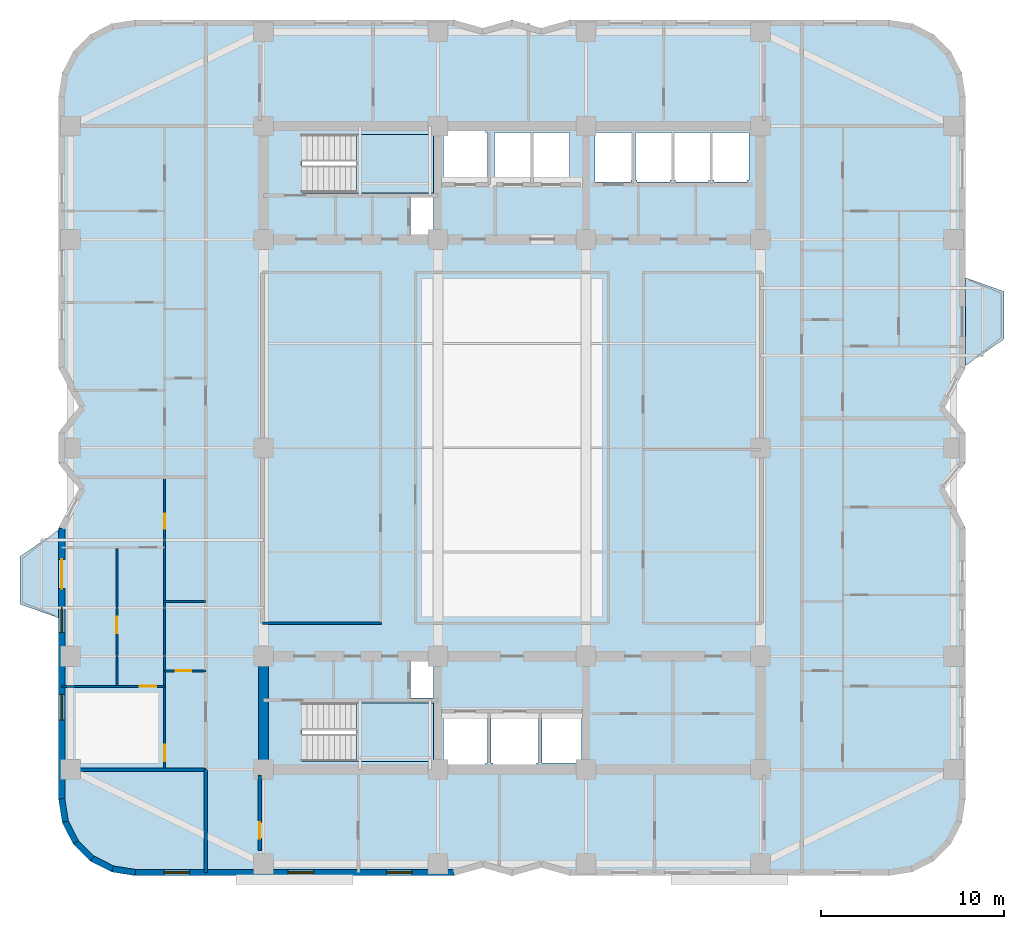
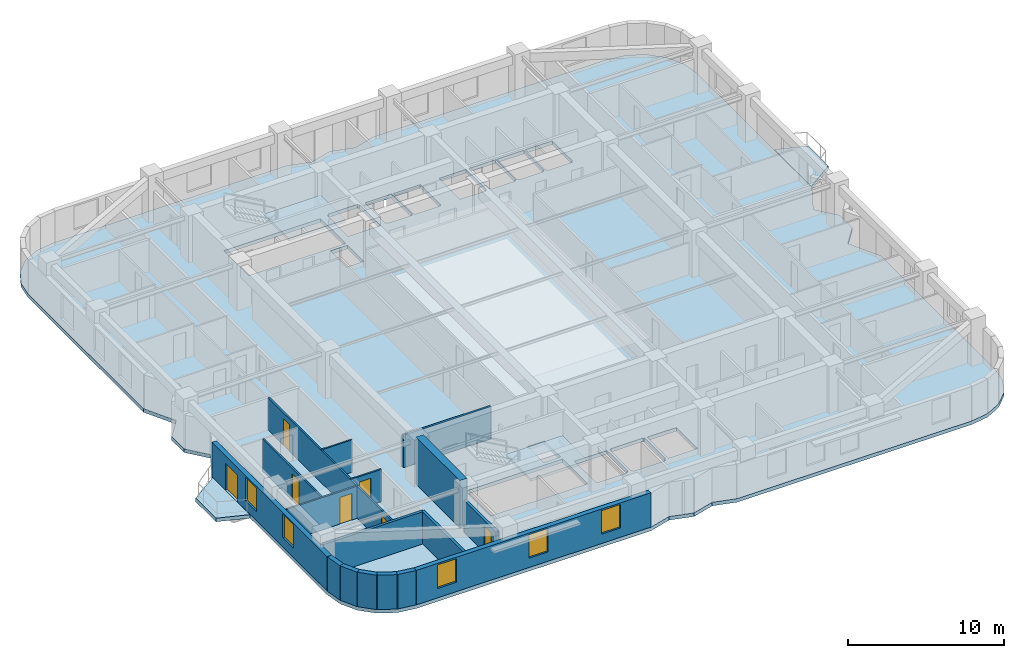
# One storey, part 2 of 10: 17 walls, 7 doors, 5 slabs, 5 windows, 12 openings, 2 elements without a shape of their own.
"""IFC4 building model written with IfcOpenShell, lengths in metres."""

from ifc_helpers import new_model, si_unit, direction, frame, frame_2d, origin, place, context, subcontext, project, spatial, polyline, rectangle, outline, extrude, material, layer, layer_set, type_object, element, fill, aggregate, save


model = new_model("IFC4")

# Units and contexts
model_context = context("Model", 3, precision=1e-05, world=origin(), true_north=direction((0.0, 1.0)))
body_context = subcontext(model_context, "Body", "Model", "MODEL_VIEW")
ifc_project = project(units=[si_unit("LENGTHUNIT", "METRE"), si_unit("AREAUNIT", "SQUARE_METRE"), si_unit("VOLUMEUNIT", "CUBIC_METRE"), si_unit("PLANEANGLEUNIT", "RADIAN"), si_unit("MASSUNIT", "GRAM", prefix="KILO")], contexts=[model_context])

# Site, building, storey
site_placement = place(None, origin())
site = spatial("IfcSite", under=ifc_project, at=site_placement, CompositionType="ELEMENT")
building_placement = place(site_placement, origin())
building = spatial("IfcBuilding", under=site, at=building_placement, Name="Svetorya Sky Lyceum", CompositionType="ELEMENT")
storey_placement = place(building_placement, frame((0.0, 0.0, 129.0)))
storey = spatial("IfcBuildingStorey", under=building, at=storey_placement, Name="L32", CompositionType="ELEMENT", Elevation=129.0)

# Slabs
ifc_material_1 = material(Name="Concrete C40/50", Category="concrete")
ifc_layer_1 = layer(ifc_material_1, 0.280029296875)
ifc_layer_set_1 = layer_set([ifc_layer_1], Name="Concrete C40/50")
slab_type_1 = type_object("IfcSlabType", Name="SL-BAL-280", PredefinedType="FLOOR", material=ifc_layer_set_1)
slab_1_placement = place(storey_placement, frame((0.0, 0.0, -0.280029296875)))
element("IfcSlab", 1, at=slab_1_placement, inside=storey, type_object=slab_type_1, Name="L32 Chamfered Loggia Balcony BAL-W1", PredefinedType="FLOOR", context=body_context, shape_type="SweptSolid", body=[
    extrude(outline(polyline([(14.389892578125, 18.89990234375), (14.389892578125, 23.699951171875), (12.2900390625, 22.25), (12.2900390625, 19.64990234375), (14.389892578125, 18.89990234375)])), origin(), (0.0, 0.0, 1.0), 0.280029296875),
])
slab_2_placement = place(storey_placement, frame((0.0, 0.0, -0.280029296875)))
element("IfcSlab", 2, at=slab_2_placement, inside=storey, type_object=slab_type_1, Name="L32 Chamfered Loggia Balcony BAL-E1", PredefinedType="FLOOR", context=body_context, shape_type="SweptSolid", body=[
    extrude(outline(polyline([(64.010009765625, 32.699951171875), (66.110107421875, 34.14990234375), (66.110107421875, 36.75), (64.010009765625, 37.5), (64.010009765625, 32.699951171875)])), origin(), (0.0, 0.0, 1.0), 0.280029296875),
])

# Stair, slab
stair_type_1 = type_object("IfcStairType", Name="STR-ST-S", PredefinedType="HALF_TURN_STAIR", material=ifc_material_1)
stair_1_placement = place(storey_placement, origin())
stair_1 = element("IfcStair", 3, at=stair_1_placement, inside=storey, type_object=stair_type_1, Name="L32 South Core Smoke-Free Exit Stair N2", PredefinedType="HALF_TURN_STAIR")
ifc_layer_2 = layer(ifc_material_1, 0.199951171875)
ifc_layer_set_2 = layer_set([ifc_layer_2], Name="Concrete C40/50")
slab_type_2 = type_object("IfcSlabType", Name="SL-STR-LAND-200", PredefinedType="LANDING", material=ifc_layer_set_2)
slab_3_placement = place(storey_placement, frame((0.0, 0.0, 1.64990234375)))
slab_3 = element("IfcSlab", 4, at=slab_3_placement, type_object=slab_type_2, Name="ST-S landing 1", PredefinedType="LANDING", context=body_context, shape_type="SweptSolid", body=[
    extrude(outline(polyline([(30.699951171875, 11.050048828125), (34.89990234375, 11.050048828125), (34.89990234375, 14.25), (30.699951171875, 14.25), (30.699951171875, 11.050048828125)])), origin(), (0.0, 0.0, 1.0), 0.2001953125),
])
aggregate(stair_1, [slab_3])

stair_type_2 = type_object("IfcStairType", Name="STR-ST-N", PredefinedType="HALF_TURN_STAIR", material=ifc_material_1)
stair_2_placement = place(storey_placement, origin())
stair_2 = element("IfcStair", 5, at=stair_2_placement, inside=storey, type_object=stair_type_2, Name="L32 North Core Smoke-Free Exit Stair N3", PredefinedType="HALF_TURN_STAIR")
slab_4_placement = place(storey_placement, frame((0.0, 0.0, 1.64990234375)))
slab_4 = element("IfcSlab", 6, at=slab_4_placement, type_object=slab_type_2, Name="ST-N landing 1", PredefinedType="LANDING", context=body_context, shape_type="SweptSolid", body=[
    extrude(outline(polyline([(30.699951171875, 42.14990234375), (34.89990234375, 42.14990234375), (34.89990234375, 45.35009765625), (30.699951171875, 45.35009765625), (30.699951171875, 42.14990234375)])), origin(), (0.0, 0.0, 1.0), 0.2001953125),
])
aggregate(stair_2, [slab_4])

# Slab
ifc_material_2 = material(Name="Concrete C50/60", Category="concrete")
ifc_layer_3 = layer(ifc_material_2, 0.280029296875)
ifc_layer_set_3 = layer_set([ifc_layer_3], Name="Concrete C50/60")
slab_type_3 = type_object("IfcSlabType", Name="SL-TWR-280", PredefinedType="FLOOR", material=ifc_layer_set_3)
slab_5_placement = place(storey_placement, frame((0.0, 0.0, -0.280029296875)))
element("IfcSlab", 7, at=slab_5_placement, inside=storey, type_object=slab_type_3, Name="L32 Structural Floor Slab", PredefinedType="FLOOR", context=body_context, shape_type="SweptSolid", body=[
    extrude(outline(polyline([(14.39990234375, 9.0), (14.605712890625, 7.7021484375), (15.2021484375, 6.53125), (16.13134765625, 5.60205078125), (17.302001953125, 5.005615234375), (18.60009765625, 4.800048828125), (36.0, 4.800048828125), (37.60009765625, 5.25), (39.199951171875, 4.800048828125), (40.800048828125, 5.25), (42.39990234375, 4.800048828125), (59.800048828125, 4.800048828125), (61.097900390625, 5.005615234375), (62.268798828125, 5.60205078125), (63.197998046875, 6.53125), (63.79443359375, 7.7021484375), (64.0, 9.0), (64.0, 23.800048828125), (62.85009765625, 26.0), (64.0, 27.39990234375), (64.0, 29.0), (62.85009765625, 30.39990234375), (64.0, 32.60009765625), (64.0, 47.39990234375), (63.79443359375, 48.697998046875), (63.197998046875, 49.86865234375), (62.268798828125, 50.7978515625), (61.097900390625, 51.394287109375), (59.800048828125, 51.60009765625), (42.39990234375, 51.60009765625), (40.800048828125, 51.14990234375), (39.199951171875, 51.60009765625), (37.60009765625, 51.14990234375), (36.0, 51.60009765625), (18.60009765625, 51.60009765625), (17.302001953125, 51.394287109375), (16.13134765625, 50.7978515625), (15.2021484375, 49.86865234375), (14.605712890625, 48.697998046875), (14.39990234375, 47.39990234375), (14.39990234375, 32.60009765625), (15.550048828125, 30.39990234375), (14.39990234375, 29.0), (14.39990234375, 27.39990234375), (15.550048828125, 26.0), (14.39990234375, 23.800048828125), (14.39990234375, 9.0)]), holes=[polyline([(37.85009765625, 10.949951171875), (37.75, 10.949951171875), (37.75, 10.85009765625), (35.550048828125, 10.85009765625), (35.550048828125, 10.949951171875), (35.449951171875, 10.949951171875), (35.449951171875, 13.64990234375), (35.550048828125, 13.64990234375), (37.75, 13.64990234375), (37.85009765625, 13.64990234375), (37.85009765625, 10.949951171875)]), polyline([(40.64990234375, 13.64990234375), (40.64990234375, 10.949951171875), (40.550048828125, 10.949951171875), (40.550048828125, 10.800048828125), (38.14990234375, 10.800048828125), (38.14990234375, 10.949951171875), (38.050048828125, 10.949951171875), (38.050048828125, 13.64990234375), (38.14990234375, 13.64990234375), (38.14990234375, 13.699951171875), (40.550048828125, 13.699951171875), (40.550048828125, 13.64990234375), (40.64990234375, 13.64990234375)]), polyline([(27.719970703125, 14.25), (34.89990234375, 14.25), (34.89990234375, 11.050048828125), (27.719970703125, 11.050048828125), (27.719970703125, 14.25)]), polyline([(33.64990234375, 14.52001953125), (33.64990234375, 16.580078125), (34.89990234375, 16.580078125), (34.89990234375, 14.52001953125), (33.64990234375, 14.52001953125)]), polyline([(33.64990234375, 41.89990234375), (34.89990234375, 41.89990234375), (34.89990234375, 39.820068359375), (33.64990234375, 39.820068359375), (33.64990234375, 41.89990234375)]), polyline([(27.719970703125, 45.35009765625), (34.89990234375, 45.35009765625), (34.89990234375, 42.14990234375), (27.719970703125, 42.14990234375), (27.719970703125, 45.35009765625)]), polyline([(37.75, 45.550048828125), (37.75, 45.449951171875), (37.85009765625, 45.449951171875), (37.85009765625, 42.75), (37.75, 42.75), (35.550048828125, 42.75), (35.449951171875, 42.75), (35.449951171875, 45.449951171875), (35.550048828125, 45.449951171875), (35.550048828125, 45.550048828125), (37.75, 45.550048828125)]), polyline([(38.39990234375, 42.85009765625), (38.25, 42.85009765625), (38.25, 45.449951171875), (38.39990234375, 45.449951171875), (40.199951171875, 45.449951171875), (40.25, 45.449951171875), (40.25, 42.85009765625), (40.199951171875, 42.85009765625), (40.199951171875, 42.75), (38.39990234375, 42.75), (38.39990234375, 42.85009765625)]), polyline([(40.85009765625, 13.64990234375), (43.0, 13.64990234375), (43.0, 10.949951171875), (40.85009765625, 10.949951171875), (40.85009765625, 13.64990234375)]), polyline([(40.39990234375, 42.85009765625), (40.35009765625, 42.85009765625), (40.35009765625, 45.449951171875), (40.39990234375, 45.449951171875), (42.300048828125, 45.449951171875), (42.35009765625, 45.449951171875), (42.35009765625, 42.85009765625), (42.300048828125, 42.85009765625), (42.300048828125, 42.75), (40.39990234375, 42.75), (40.39990234375, 42.85009765625)]), polyline([(43.75, 42.75), (43.75, 42.85009765625), (43.75, 45.449951171875), (45.699951171875, 45.449951171875), (45.75, 45.449951171875), (45.75, 42.85009765625), (45.699951171875, 42.85009765625), (45.699951171875, 42.75), (43.75, 42.75)]), polyline([(46.050048828125, 42.85009765625), (45.949951171875, 42.85009765625), (45.949951171875, 45.449951171875), (46.050048828125, 45.449951171875), (47.85009765625, 45.449951171875), (47.949951171875, 45.449951171875), (47.949951171875, 42.85009765625), (47.85009765625, 42.85009765625), (47.85009765625, 42.75), (46.050048828125, 42.75), (46.050048828125, 42.85009765625)]), polyline([(48.14990234375, 42.85009765625), (48.050048828125, 42.85009765625), (48.050048828125, 45.449951171875), (48.14990234375, 45.449951171875), (49.949951171875, 45.449951171875), (50.050048828125, 45.449951171875), (50.050048828125, 42.85009765625), (49.949951171875, 42.85009765625), (49.949951171875, 42.75), (48.14990234375, 42.75), (48.14990234375, 42.85009765625)]), polyline([(52.14990234375, 42.85009765625), (52.050048828125, 42.85009765625), (52.050048828125, 42.75), (50.25, 42.75), (50.25, 42.85009765625), (50.14990234375, 42.85009765625), (50.14990234375, 45.449951171875), (50.25, 45.449951171875), (52.050048828125, 45.449951171875), (52.14990234375, 45.449951171875), (52.14990234375, 42.85009765625)])]), origin(), (0.0, 0.0, 1.0), 0.280029296875),
])

# Walls
ifc_material_3 = material(Name="Concrete C60/75", Category="concrete")
ifc_layer_4 = layer(ifc_material_3, 0.550048828125)
ifc_layer_set_4 = layer_set([ifc_layer_4], Name="Concrete C60/75")
wall_type_1 = type_object("IfcWallType", Name="WL-CORE-550", PredefinedType="SHEAR", material=ifc_layer_set_4)
wall_1_placement = place(storey_placement, frame((25.60009765625, 10.875, 0.0), z_axis=(0.0, 0.0, 1.0), x_axis=(0.0, 1.0, 0.0)))
element("IfcWall", 8, at=wall_1_placement, inside=storey, type_object=wall_type_1, Name="L32 SC West Core Shear Wall", PredefinedType="SHEAR", context=body_context, shape_type="SweptSolid", body=[
    extrude(rectangle(XDim=5.64990234375, YDim=0.550048828125, at=frame_2d((2.824951171875, 0.0))), origin(), (0.0, 0.0, 1.0), 3.699951171875),
])
ifc_material_4 = material(Name="Putilovo limestone rainscreen on autoclaved cellular masonry", Category="masonry")
ifc_layer_5 = layer(ifc_material_4, 0.340087890625)
ifc_layer_set_5 = layer_set([ifc_layer_5], Name="Putilovo limestone rainscreen on autoclaved cellular masonry")
wall_type_2 = type_object("IfcWallType", Name="WL-EXT-340", PredefinedType="SOLIDWALL", material=ifc_layer_set_5)
wall_2_placement = place(storey_placement, frame((14.570068359375, 9.0, 0.0), z_axis=(0.0, 0.0, 1.0), x_axis=(0.156260864002, -0.98771582066, 0.0)))
element("IfcWall", 9, at=wall_2_placement, inside=storey, type_object=wall_type_2, Name="L32 Limestone Exterior Wall 1M", PredefinedType="SOLIDWALL", context=body_context, shape_type="SweptSolid", body=[
    extrude(rectangle(XDim=1.2607421875, YDim=0.340087890625, at=frame_2d((0.63037109375, 0.0))), origin(), (0.0, 0.0, 1.0), 2.699951171875),
])
wall_3_placement = place(storey_placement, frame((14.76708984375, 7.754638671875, 0.0), z_axis=(0.0, 0.0, 1.0), x_axis=(0.454015689056, -0.890993689142, 0.0)))
element("IfcWall", 10, at=wall_3_placement, inside=storey, type_object=wall_type_2, Name="L32 Limestone Exterior Wall 2M", PredefinedType="SOLIDWALL", context=body_context, shape_type="SweptSolid", body=[
    extrude(rectangle(XDim=1.260986328125, YDim=0.340087890625, at=frame_2d((0.63037109375, 0.0))), origin(), (0.0, 0.0, 1.0), 2.699951171875),
])
wall_4_placement = place(storey_placement, frame((15.339599609375, 6.631103515625, 0.0), z_axis=(0.0, 0.0, 1.0), x_axis=(0.707203598708, -0.707009950407, 0.0)))
element("IfcWall", 11, at=wall_4_placement, inside=storey, type_object=wall_type_2, Name="L32 Limestone Exterior Wall 3M", PredefinedType="SOLIDWALL", context=body_context, shape_type="SweptSolid", body=[
    extrude(rectangle(XDim=1.2607421875, YDim=0.340087890625, at=frame_2d((0.63037109375, 0.0))), origin(), (0.0, 0.0, 1.0), 2.699951171875),
])
for number, where, z_axis, x_axis, name in (
    (12, (16.231201171875, 5.73974609375, 0.0), (0.0, 0.0, 1.0), (0.890993689142, -0.454015689056, 0.0), "L32 Limestone Exterior Wall 4M"),
    (13, (17.354736328125, 5.167236328125, 0.0), (0.0, 0.0, 1.0), (0.987685918112, -0.15644975923, 0.0), "L32 Limestone Exterior Wall 5M"),
):
    element("IfcWall", number, at=place(storey_placement, frame(where, z_axis=z_axis, x_axis=x_axis)), inside=storey, type_object=wall_type_2, Name=name, PredefinedType="SOLIDWALL", context=body_context, shape_type="SweptSolid", body=[
        extrude(rectangle(XDim=1.260986328125, YDim=0.340087890625, at=frame_2d((0.63037109375, 0.0))), origin(), (0.0, 0.0, 1.0), 2.699951171875),
    ])

# Wall, openings, windows
wall_5_placement = place(storey_placement, frame((18.60009765625, 4.969970703125, 0.0), z_axis=(0.0, 0.0, 1.0), x_axis=(1.0, 0.0, 0.0)))
wall_5 = element("IfcWall", 14, at=wall_5_placement, inside=storey, type_object=wall_type_2, Name="L32 Limestone Exterior Wall 6M", PredefinedType="SOLIDWALL", context=body_context, shape_type="SweptSolid", body=[
    extrude(rectangle(XDim=17.39990234375, YDim=0.340087890625, at=frame_2d((8.699951171875, 0.0))), origin(), (0.0, 0.0, 1.0), 2.699951171875),
])
opening_1_placement = place(wall_5_placement, frame((1.56005859375, 0.0, 0.72998046875)))
opening_1 = element("IfcOpeningElement", 15, at=opening_1_placement, cuts=wall_5, Name="Opening W-R2", PredefinedType="OPENING", context=body_context, shape_type="SweptSolid", body=[
    extrude(rectangle(XDim=1.39990234375, YDim=1.85009765625, at=frame_2d((0.699951171875, 0.925048828125))), frame((0.0, 0.179931640625, 0.0), z_axis=(0.0, -1.0, 0.0), x_axis=(1.0, 0.0, 0.0)), (0.0, 0.0, 1.0), 0.360107421875),
])
opening_2_placement = place(wall_5_placement, frame((8.35009765625, 0.0, 0.72998046875)))
opening_2 = element("IfcOpeningElement", 16, at=opening_2_placement, cuts=wall_5, Name="Opening W-R2", PredefinedType="OPENING", context=body_context, shape_type="SweptSolid", body=[
    extrude(rectangle(XDim=1.39990234375, YDim=1.85009765625, at=frame_2d((0.699951171875, 0.925048828125))), frame((0.0, 0.179931640625, 0.0), z_axis=(0.0, -1.0, 0.0), x_axis=(1.0, 0.0, 0.0)), (0.0, 0.0, 1.0), 0.360107421875),
])
opening_3_placement = place(wall_5_placement, frame((13.739990234375, 0.0, 0.72998046875)))
opening_3 = element("IfcOpeningElement", 17, at=opening_3_placement, cuts=wall_5, Name="Opening W-R2", PredefinedType="OPENING", context=body_context, shape_type="SweptSolid", body=[
    extrude(rectangle(XDim=1.39990234375, YDim=1.85009765625, at=frame_2d((0.699951171875, 0.925048828125))), frame((0.0, 0.179931640625, 0.0), z_axis=(0.0, -1.0, 0.0), x_axis=(1.0, 0.0, 0.0)), (0.0, 0.0, 1.0), 0.360107421875),
])
ifc_material_5 = material(Name="Thermally broken aluminium frame with triple low-E glazing", Category="aluminium")
window_type = type_object("IfcWindowType", Name="WN-RES-140", PartitioningType="SINGLE_PANEL", PredefinedType="WINDOW", material=ifc_material_5)
window_1_placement = place(opening_1_placement, origin())
window_1 = element("IfcWindow", 18, at=window_1_placement, inside=storey, type_object=window_type, Name="L32 Facade Window W-R2.6M.1", OverallHeight=1.85009765625, OverallWidth=1.39990234375, PartitioningType="SINGLE_PANEL", PredefinedType="WINDOW", context=body_context, shape_type="SweptSolid", body=[
    extrude(rectangle(XDim=1.39990234375, YDim=1.85009765625, at=frame_2d((0.699951171875, 0.925048828125))), frame((0.0, 0.030029296875, 0.0), z_axis=(0.0, -1.0, 0.0), x_axis=(1.0, 0.0, 0.0)), (0.0, 0.0, 1.0), 0.06005859375),
])
fill(opening_1, window_1)
window_2_placement = place(opening_2_placement, origin())
window_2 = element("IfcWindow", 19, at=window_2_placement, inside=storey, type_object=window_type, Name="L32 Facade Window W-R2.6M.2", OverallHeight=1.85009765625, OverallWidth=1.39990234375, PartitioningType="SINGLE_PANEL", PredefinedType="WINDOW", context=body_context, shape_type="SweptSolid", body=[
    extrude(rectangle(XDim=1.39990234375, YDim=1.85009765625, at=frame_2d((0.699951171875, 0.925048828125))), frame((0.0, 0.030029296875, 0.0), z_axis=(0.0, -1.0, 0.0), x_axis=(1.0, 0.0, 0.0)), (0.0, 0.0, 1.0), 0.06005859375),
])
fill(opening_2, window_2)
window_3_placement = place(opening_3_placement, origin())
window_3 = element("IfcWindow", 20, at=window_3_placement, inside=storey, type_object=window_type, Name="L32 Facade Window W-R2.6M.3", OverallHeight=1.85009765625, OverallWidth=1.39990234375, PartitioningType="SINGLE_PANEL", PredefinedType="WINDOW", context=body_context, shape_type="SweptSolid", body=[
    extrude(rectangle(XDim=1.39990234375, YDim=1.85009765625, at=frame_2d((0.699951171875, 0.925048828125))), frame((0.0, 0.030029296875, 0.0), z_axis=(0.0, -1.0, 0.0), x_axis=(1.0, 0.0, 0.0)), (0.0, 0.0, 1.0), 0.06005859375),
])
fill(opening_3, window_3)

# Wall, openings, door, windows
wall_6_placement = place(storey_placement, frame((14.570068359375, 23.800048828125, 0.0), z_axis=(0.0, 0.0, 1.0), x_axis=(0.0, -1.0, 0.0)))
wall_6 = element("IfcWall", 21, at=wall_6_placement, inside=storey, type_object=wall_type_2, Name="L32 Limestone Exterior Wall 46M", PredefinedType="SOLIDWALL", context=body_context, shape_type="SweptSolid", body=[
    extrude(rectangle(XDim=14.800048828125, YDim=0.340087890625, at=frame_2d((7.39990234375, 0.0))), origin(), (0.0, 0.0, 1.0), 2.699951171875),
])
opening_4_placement = place(wall_6_placement, frame((1.699951171875, 0.0, 0.0)))
opening_4 = element("IfcOpeningElement", 22, at=opening_4_placement, cuts=wall_6, Name="Opening D-BL1", PredefinedType="OPENING", context=body_context, shape_type="SweptSolid", body=[
    extrude(rectangle(XDim=1.60009765625, YDim=2.10009765625, at=frame_2d((0.800048828125, 1.050048828125))), frame((0.0, 0.179931640625, 0.0), z_axis=(0.0, -1.0, 0.0), x_axis=(1.0, 0.0, 0.0)), (0.0, 0.0, 1.0), 0.360107421875),
])
opening_5_placement = place(wall_6_placement, frame((4.3125, 0.0, 0.72998046875)))
opening_5 = element("IfcOpeningElement", 23, at=opening_5_placement, cuts=wall_6, Name="Opening W-R2", PredefinedType="OPENING", context=body_context, shape_type="SweptSolid", body=[
    extrude(rectangle(XDim=1.39990234375, YDim=1.85009765625, at=frame_2d((0.699951171875, 0.925048828125))), frame((0.0, 0.179931640625, 0.0), z_axis=(0.0, -1.0, 0.0), x_axis=(1.0, 0.0, 0.0)), (0.0, 0.0, 1.0), 0.360107421875),
])
opening_6_placement = place(wall_6_placement, frame((9.08740234375, 0.0, 0.72998046875)))
opening_6 = element("IfcOpeningElement", 24, at=opening_6_placement, cuts=wall_6, Name="Opening W-R2", PredefinedType="OPENING", context=body_context, shape_type="SweptSolid", body=[
    extrude(rectangle(XDim=1.39990234375, YDim=1.85009765625, at=frame_2d((0.699951171875, 0.925048828125))), frame((0.0, 0.179931640625, 0.0), z_axis=(0.0, -1.0, 0.0), x_axis=(1.0, 0.0, 0.0)), (0.0, 0.0, 1.0), 0.360107421875),
])
ifc_material_6 = material(Name="Insulated glazed aluminium balcony door", Category="aluminium")
door_type_1 = type_object("IfcDoorType", Name="DR-BAL-1600", OperationType="DOUBLE_DOOR_SINGLE_SWING", PredefinedType="DOOR", material=ifc_material_6)
door_1_placement = place(opening_4_placement, origin())
door_1 = element("IfcDoor", 25, at=door_1_placement, inside=storey, type_object=door_type_1, Name="L32 Balcony BAL-W1 Door", OperationType="DOUBLE_DOOR_SINGLE_SWING", OverallHeight=2.10009765625, OverallWidth=1.60009765625, PredefinedType="DOOR", context=body_context, shape_type="SweptSolid", body=[
    extrude(rectangle(XDim=1.60009765625, YDim=2.10009765625, at=frame_2d((0.800048828125, 1.050048828125))), frame((0.0, 0.02490234375, 0.0), z_axis=(0.0, -1.0, 0.0), x_axis=(1.0, 0.0, 0.0)), (0.0, 0.0, 1.0), 0.050048828125),
])
fill(opening_4, door_1)
window_4_placement = place(opening_5_placement, origin())
window_4 = element("IfcWindow", 26, at=window_4_placement, inside=storey, type_object=window_type, Name="L32 Facade Window W-R2.46M.1", OverallHeight=1.85009765625, OverallWidth=1.39990234375, PartitioningType="SINGLE_PANEL", PredefinedType="WINDOW", context=body_context, shape_type="SweptSolid", body=[
    extrude(rectangle(XDim=1.39990234375, YDim=1.85009765625, at=frame_2d((0.699951171875, 0.925048828125))), frame((0.0, 0.030029296875, 0.0), z_axis=(0.0, -1.0, 0.0), x_axis=(1.0, 0.0, 0.0)), (0.0, 0.0, 1.0), 0.06005859375),
])
fill(opening_5, window_4)
window_5_placement = place(opening_6_placement, origin())
window_5 = element("IfcWindow", 27, at=window_5_placement, inside=storey, type_object=window_type, Name="L32 Facade Window W-R2.46M.2", OverallHeight=1.85009765625, OverallWidth=1.39990234375, PartitioningType="SINGLE_PANEL", PredefinedType="WINDOW", context=body_context, shape_type="SweptSolid", body=[
    extrude(rectangle(XDim=1.39990234375, YDim=1.85009765625, at=frame_2d((0.699951171875, 0.925048828125))), frame((0.0, 0.030029296875, 0.0), z_axis=(0.0, -1.0, 0.0), x_axis=(1.0, 0.0, 0.0)), (0.0, 0.0, 1.0), 0.06005859375),
])
fill(opening_6, window_5)

# Wall, opening, door
ifc_material_7 = material(Name="Twin-stud galvanized framing with double fireboard", Category="gypsum")
ifc_layer_6 = layer(ifc_material_7, 0.1201171875)
ifc_layer_set_6 = layer_set([ifc_layer_6], Name="Twin-stud galvanized framing with double fireboard")
wall_type_3 = type_object("IfcWallType", Name="WL-PART-120", PredefinedType="PARTITIONING", material=ifc_layer_set_6)
wall_7_placement = place(storey_placement, frame((20.199951171875, 16.0, 0.0), z_axis=(0.0, 0.0, 1.0), x_axis=(1.0, 0.0, 0.0)))
wall_7 = element("IfcWall", 28, at=wall_7_placement, inside=storey, type_object=wall_type_3, Name="L32 Interior Partition W1-WH1", PredefinedType="PARTITIONING", context=body_context, shape_type="SweptSolid", body=[
    extrude(rectangle(XDim=2.25, YDim=0.1201171875, at=frame_2d((1.125, 0.0))), origin(), (0.0, 0.0, 1.0), 2.530029296875),
])
opening_7_placement = place(wall_7_placement, frame((0.60009765625, 0.0, 0.0)))
opening_7 = element("IfcOpeningElement", 29, at=opening_7_placement, cuts=wall_7, Name="Opening D-BT1", PredefinedType="OPENING", context=body_context, shape_type="SweptSolid", body=[
    extrude(rectangle(XDim=0.85009765625, YDim=2.10009765625, at=frame_2d((0.425048828125, 1.050048828125))), frame((0.0, 0.070068359375, 0.0), z_axis=(0.0, -1.0, 0.0), x_axis=(1.0, 0.0, 0.0)), (0.0, 0.0, 1.0), 0.14013671875),
])
ifc_material_8 = material(Name="Moisture-resistant laminate bathroom door")
door_type_2 = type_object("IfcDoorType", Name="DR-WET-850", OperationType="SINGLE_SWING_LEFT", PredefinedType="DOOR", material=ifc_material_8)
door_2_placement = place(opening_7_placement, origin())
door_2 = element("IfcDoor", 30, at=door_2_placement, inside=storey, type_object=door_type_2, Name="Apartment W1 Bathroom Door", OperationType="SINGLE_SWING_LEFT", OverallHeight=2.10009765625, OverallWidth=0.85009765625, PredefinedType="DOOR", context=body_context, shape_type="SweptSolid", body=[
    extrude(rectangle(XDim=0.85009765625, YDim=2.10009765625, at=frame_2d((0.425048828125, 1.050048828125))), frame((0.0, 0.02490234375, 0.0), z_axis=(0.0, -1.0, 0.0), x_axis=(1.0, 0.0, 0.0)), (0.0, 0.0, 1.0), 0.050048828125),
])
fill(opening_7, door_2)

# Wall
wall_8_placement = place(storey_placement, frame((20.199951171875, 19.800048828125, 0.0), z_axis=(0.0, 0.0, 1.0), x_axis=(1.0, 0.0, 0.0)))
element("IfcWall", 31, at=wall_8_placement, inside=storey, type_object=wall_type_3, Name="L32 Interior Partition W1-WH2", PredefinedType="PARTITIONING", context=body_context, shape_type="SweptSolid", body=[
    extrude(rectangle(XDim=2.25, YDim=0.1201171875, at=frame_2d((1.125, 0.0))), origin(), (0.0, 0.0, 1.0), 2.530029296875),
])

# Wall, opening, door
wall_9_placement = place(storey_placement, frame((17.589111328125, 15.18994140625, 0.0), z_axis=(0.0, 0.0, 1.0), x_axis=(0.0, 1.0, 0.0)))
wall_9 = element("IfcWall", 32, at=wall_9_placement, inside=storey, type_object=wall_type_3, Name="L32 Interior Partition W1-BVD1", PredefinedType="PARTITIONING", context=body_context, shape_type="SweptSolid", body=[
    extrude(rectangle(XDim=7.52001953125, YDim=0.1201171875, at=frame_2d((3.760009765625, 0.0))), origin(), (0.0, 0.0, 1.0), 2.530029296875),
])
opening_8_placement = place(wall_9_placement, frame((2.860107421875, 0.0, 0.0)))
opening_8 = element("IfcOpeningElement", 33, at=opening_8_placement, cuts=wall_9, Name="Opening D-RM1", PredefinedType="OPENING", context=body_context, shape_type="SweptSolid", body=[
    extrude(rectangle(XDim=0.89990234375, YDim=2.10009765625, at=frame_2d((0.449951171875, 1.050048828125))), frame((0.0, 0.070068359375, 0.0), z_axis=(0.0, -1.0, 0.0), x_axis=(1.0, 0.0, 0.0)), (0.0, 0.0, 1.0), 0.14013671875),
])
ifc_material_9 = material(Name="Lacquered birch veneer internal door")
door_type_3 = type_object("IfcDoorType", Name="DR-INT-900", OperationType="SINGLE_SWING_LEFT", PredefinedType="DOOR", material=ifc_material_9)
door_3_placement = place(opening_8_placement, origin())
door_3 = element("IfcDoor", 34, at=door_3_placement, inside=storey, type_object=door_type_3, Name="Apartment W1 Suite Bedroom Door", OperationType="SINGLE_SWING_LEFT", OverallHeight=2.10009765625, OverallWidth=0.89990234375, PredefinedType="DOOR", context=body_context, shape_type="SweptSolid", body=[
    extrude(rectangle(XDim=0.89990234375, YDim=2.10009765625, at=frame_2d((0.449951171875, 1.050048828125))), frame((0.0, 0.02490234375, 0.0), z_axis=(0.0, -1.0, 0.0), x_axis=(1.0, 0.0, 0.0)), (0.0, 0.0, 1.0), 0.050048828125),
])
fill(opening_8, door_3)

wall_10_placement = place(storey_placement, frame((14.570068359375, 15.14990234375, 0.0), z_axis=(0.0, 0.0, 1.0), x_axis=(1.0, 0.0, 0.0)))
wall_10 = element("IfcWall", 35, at=wall_10_placement, inside=storey, type_object=wall_type_3, Name="L32 Interior Partition W1-WL1", PredefinedType="PARTITIONING", context=body_context, shape_type="SweptSolid", body=[
    extrude(rectangle(XDim=5.6298828125, YDim=0.1201171875, at=frame_2d((2.81494140625, 0.0))), origin(), (0.0, 0.0, 1.0), 2.530029296875),
])
opening_9_placement = place(wall_10_placement, frame((4.280029296875, 0.0, 0.0)))
opening_9 = element("IfcOpeningElement", 36, at=opening_9_placement, cuts=wall_10, Name="Opening D-RM1", PredefinedType="OPENING", context=body_context, shape_type="SweptSolid", body=[
    extrude(rectangle(XDim=0.89990234375, YDim=2.10009765625, at=frame_2d((0.449951171875, 1.050048828125))), frame((0.0, 0.070068359375, 0.0), z_axis=(0.0, -1.0, 0.0), x_axis=(1.0, 0.0, 0.0)), (0.0, 0.0, 1.0), 0.14013671875),
])
door_4_placement = place(opening_9_placement, origin())
door_4 = element("IfcDoor", 37, at=door_4_placement, inside=storey, type_object=door_type_3, Name="Apartment W1 Master Bedroom Door", OperationType="SINGLE_SWING_LEFT", OverallHeight=2.10009765625, OverallWidth=0.89990234375, PredefinedType="DOOR", context=body_context, shape_type="SweptSolid", body=[
    extrude(rectangle(XDim=0.89990234375, YDim=2.10009765625, at=frame_2d((0.449951171875, 1.050048828125))), frame((0.0, 0.02490234375, 0.0), z_axis=(0.0, -1.0, 0.0), x_axis=(1.0, 0.0, 0.0)), (0.0, 0.0, 1.0), 0.050048828125),
])
fill(opening_9, door_4)

# Wall, openings, doors
wall_11_placement = place(storey_placement, frame((20.199951171875, 10.639892578125, 0.0), z_axis=(0.0, 0.0, 1.0), x_axis=(0.0, 1.0, 0.0)))
wall_11 = element("IfcWall", 38, at=wall_11_placement, inside=storey, type_object=wall_type_3, Name="L32 Interior Partition W1-WV", PredefinedType="PARTITIONING", context=body_context, shape_type="SweptSolid", body=[
    extrude(rectangle(XDim=15.920166015625, YDim=0.1201171875, at=frame_2d((7.9599609375, 0.0))), origin(), (0.0, 0.0, 1.0), 2.530029296875),
])
opening_10_placement = place(wall_11_placement, frame((0.409912109375, 0.0, 0.0)))
opening_10 = element("IfcOpeningElement", 39, at=opening_10_placement, cuts=wall_11, Name="Opening D-RM1", PredefinedType="OPENING", context=body_context, shape_type="SweptSolid", body=[
    extrude(rectangle(XDim=0.89990234375, YDim=2.10009765625, at=frame_2d((0.449951171875, 1.050048828125))), frame((0.0, 0.070068359375, 0.0), z_axis=(0.0, -1.0, 0.0), x_axis=(1.0, 0.0, 0.0)), (0.0, 0.0, 1.0), 0.14013671875),
])
opening_11_placement = place(wall_11_placement, frame((13.125, 0.0, 0.0)))
opening_11 = element("IfcOpeningElement", 40, at=opening_11_placement, cuts=wall_11, Name="Opening D-BT2", PredefinedType="OPENING", context=body_context, shape_type="SweptSolid", body=[
    extrude(rectangle(XDim=0.820068359375, YDim=2.080078125, at=frame_2d((0.41015625, 1.0400390625))), frame((0.0, 0.070068359375, 0.0), z_axis=(0.0, -1.0, 0.0), x_axis=(1.0, 0.0, 0.0)), (0.0, 0.0, 1.0), 0.14013671875),
])
door_5_placement = place(opening_10_placement, origin())
door_5 = element("IfcDoor", 41, at=door_5_placement, inside=storey, type_object=door_type_3, Name="Apartment W1 Living Door", OperationType="SINGLE_SWING_RIGHT", OverallHeight=2.10009765625, OverallWidth=0.89990234375, PredefinedType="DOOR", context=body_context, shape_type="SweptSolid", body=[
    extrude(rectangle(XDim=0.89990234375, YDim=2.10009765625, at=frame_2d((0.449951171875, 1.050048828125))), frame((0.0, 0.02490234375, 0.0), z_axis=(0.0, -1.0, 0.0), x_axis=(1.0, 0.0, 0.0)), (0.0, 0.0, 1.0), 0.050048828125),
])
fill(opening_10, door_5)
ifc_material_10 = material(Name="Compact moisture-resistant laminate closet door")
door_type_4 = type_object("IfcDoorType", Name="DR-WET-820", OperationType="SINGLE_SWING_LEFT", PredefinedType="DOOR", material=ifc_material_10)
door_6_placement = place(opening_11_placement, origin())
door_6 = element("IfcDoor", 42, at=door_6_placement, inside=storey, type_object=door_type_4, Name="Apartment W1 Study Door", OperationType="SINGLE_SWING_LEFT", OverallHeight=2.080078125, OverallWidth=0.820068359375, PredefinedType="DOOR", context=body_context, shape_type="SweptSolid", body=[
    extrude(rectangle(XDim=0.820068359375, YDim=2.080078125, at=frame_2d((0.41015625, 1.0400390625))), frame((0.0, 0.02490234375, 0.0), z_axis=(0.0, -1.0, 0.0), x_axis=(1.0, 0.0, 0.0)), (0.0, 0.0, 1.0), 0.050048828125),
])
fill(opening_11, door_6)

# Walls
ifc_material_11 = material(Name="Autoclaved cellular masonry blockwork with acoustic render", Category="masonry")
ifc_layer_7 = layer(ifc_material_11, 0.14990234375)
ifc_layer_set_7 = layer_set([ifc_layer_7], Name="Autoclaved cellular masonry blockwork with acoustic render")
wall_type_4 = type_object("IfcWallType", Name="WL-PART-150", PredefinedType="PARTITIONING", material=ifc_layer_set_7)
wall_12_placement = place(storey_placement, frame((25.550048828125, 18.60009765625, 0.0), z_axis=(0.0, 0.0, 1.0), x_axis=(1.0, 0.0, 0.0)))
element("IfcWall", 43, at=wall_12_placement, inside=storey, type_object=wall_type_4, Name="L32 Interior Partition RL-CS-W", PredefinedType="PARTITIONING", context=body_context, shape_type="SweptSolid", body=[
    extrude(rectangle(XDim=6.5, YDim=0.14990234375, at=frame_2d((3.25, 0.0))), origin(), (0.0, 0.0, 1.0), 2.530029296875),
])
ifc_material_12 = material(Name="Autoclaved cellular masonry blockwork with gypsum plaster", Category="masonry")
ifc_layer_8 = layer(ifc_material_12, 0.199951171875)
ifc_layer_set_8 = layer_set([ifc_layer_8], Name="Autoclaved cellular masonry blockwork with gypsum plaster")
wall_type_5 = type_object("IfcWallType", Name="WL-PART-200", PredefinedType="PARTITIONING", material=ifc_layer_set_8)
wall_13_placement = place(storey_placement, frame((14.989990234375, 10.60009765625, 0.0), z_axis=(0.0, 0.0, 1.0), x_axis=(1.0, 0.0, 0.0)))
element("IfcWall", 44, at=wall_13_placement, inside=storey, type_object=wall_type_5, Name="L32 Interior Partition W-CAP-S", PredefinedType="PARTITIONING", context=body_context, shape_type="SweptSolid", body=[
    extrude(rectangle(XDim=7.4599609375, YDim=0.199951171875, at=frame_2d((3.72998046875, 0.0))), origin(), (0.0, 0.0, 1.0), 2.530029296875),
])
wall_14_placement = place(storey_placement, frame((22.449951171875, 4.969970703125, 0.0), z_axis=(0.0, 0.0, 1.0), x_axis=(0.0, 1.0, 0.0)))
element("IfcWall", 45, at=wall_14_placement, inside=storey, type_object=wall_type_5, Name="L32 Interior Partition WC-SW-END", PredefinedType="PARTITIONING", context=body_context, shape_type="SweptSolid", body=[
    extrude(rectangle(XDim=5.630126953125, YDim=0.199951171875, at=frame_2d((2.81494140625, 0.0))), origin(), (0.0, 0.0, 1.0), 2.530029296875),
])

# Wall, opening, door
wall_15_placement = place(storey_placement, frame((25.39990234375, 6.169921875, 0.0), z_axis=(0.0, 0.0, 1.0), x_axis=(0.0, 1.0, 0.0)))
wall_15 = element("IfcWall", 46, at=wall_15_placement, inside=storey, type_object=wall_type_5, Name="L32 Interior Partition S4-EW", PredefinedType="PARTITIONING", context=body_context, shape_type="SweptSolid", body=[
    extrude(rectangle(XDim=4.130126953125, YDim=0.199951171875, at=frame_2d((2.06494140625, 0.0))), origin(), (0.0, 0.0, 1.0), 2.530029296875),
])
opening_12_placement = place(wall_15_placement, frame((0.64990234375, 0.0, 0.0)))
opening_12 = element("IfcOpeningElement", 47, at=opening_12_placement, cuts=wall_15, Name="Opening D-RM1", PredefinedType="OPENING", context=body_context, shape_type="SweptSolid", body=[
    extrude(rectangle(XDim=0.89990234375, YDim=2.10009765625, at=frame_2d((0.449951171875, 1.050048828125))), frame((0.0, 0.10986328125, 0.0), z_axis=(0.0, -1.0, 0.0), x_axis=(1.0, 0.0, 0.0)), (0.0, 0.0, 1.0), 0.219970703125),
])
door_7_placement = place(opening_12_placement, origin())
door_7 = element("IfcDoor", 48, at=door_7_placement, inside=storey, type_object=door_type_3, Name="L32 SW Office Door", OperationType="SINGLE_SWING_LEFT", OverallHeight=2.10009765625, OverallWidth=0.89990234375, PredefinedType="DOOR", context=body_context, shape_type="SweptSolid", body=[
    extrude(rectangle(XDim=0.89990234375, YDim=2.10009765625, at=frame_2d((0.449951171875, 1.050048828125))), frame((0.0, 0.02490234375, 0.0), z_axis=(0.0, -1.0, 0.0), x_axis=(1.0, 0.0, 0.0)), (0.0, 0.0, 1.0), 0.050048828125),
])
fill(opening_12, door_7)

save(model, "model.ifc")
